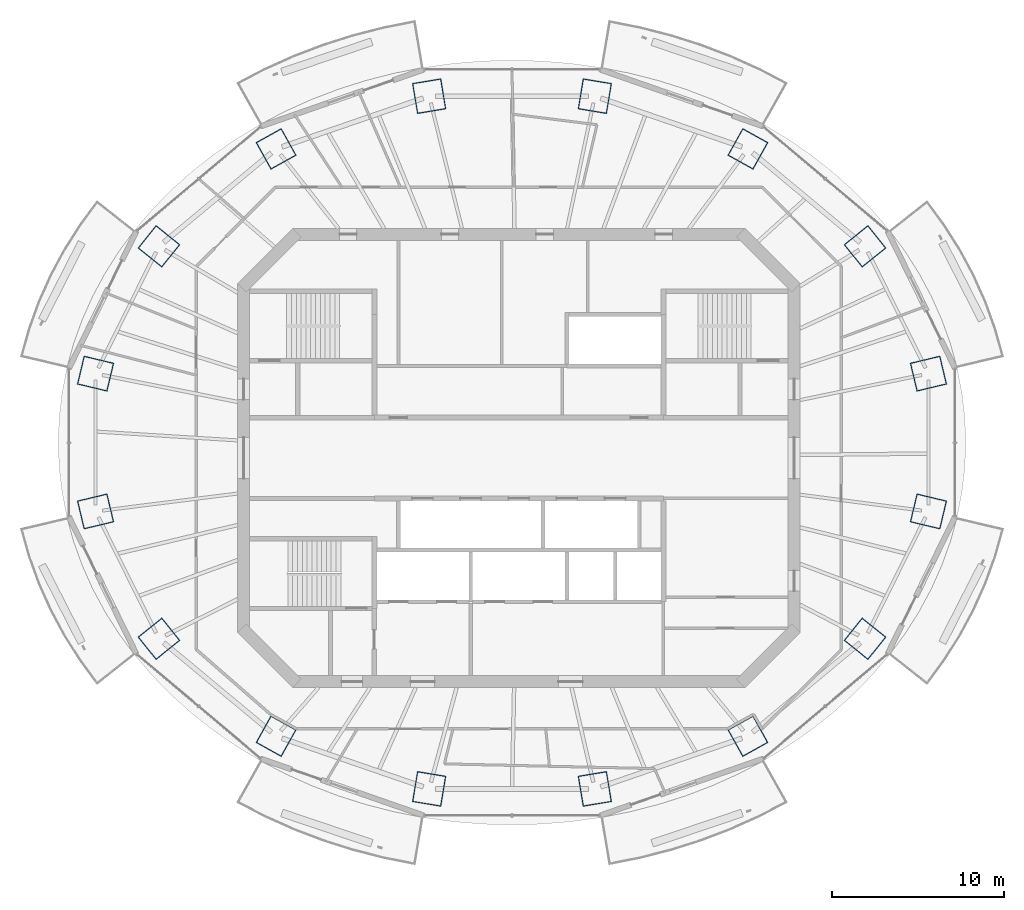
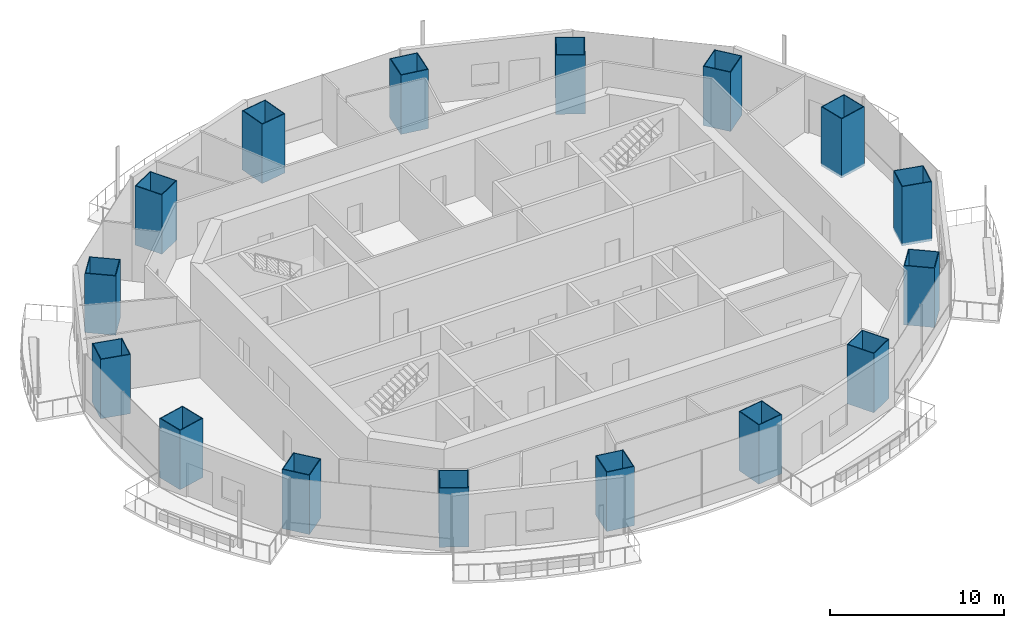
# One storey, part 1 of 16: 16 columns.
"""IFC4 building model written with IfcOpenShell, lengths in metres."""

import ifcopenshell
import ifcopenshell.guid

model = None  # the IFC model being written
_history = None  # IfcOwnerHistory: only IFC2X3 demands one
_inside = {}  # id of a spatial element -> (the spatial element, [elements in it])
_under = {}  # id of a project, library or spatial element -> (it, [spatial elements below it])
_declared = {}  # id of a project -> (the project, [libraries it declares])
_typed = {}  # id of a type object -> (the type object, [elements of that type])
_made_of = {}  # id of a material, layer set ... -> (it, [elements and type objects made of it])


def new_model(schema):
    """Start an empty IFC model of exactly this schema.

    Asked for "IFC4X3", IfcOpenShell would pick the latest addendum, in which some entities
    have other attributes; the version numbers below select the first issue.
    IFC2X3 requires an IfcOwnerHistory on every rooted entity: one is made here for all.
    """
    global model, _history
    if schema == "IFC4X3":
        model = ifcopenshell.file(schema_version=(4, 3, 0, 0))
    else:
        model = ifcopenshell.file(schema=schema)
    _inside.clear()
    _under.clear()
    _declared.clear()
    _typed.clear()
    _made_of.clear()
    _history = None
    if model.schema == "IFC2X3":
        org = make("IfcOrganization", Name="unknown")
        user = make(
            "IfcPersonAndOrganization",
            ThePerson=make("IfcPerson", FamilyName="unknown"),
            TheOrganization=org,
        )
        app = make(
            "IfcApplication",
            ApplicationDeveloper=org,
            Version="unknown",
            ApplicationFullName="unknown",
            ApplicationIdentifier="unknown",
        )
        _history = make(
            "IfcOwnerHistory",
            OwningUser=user,
            OwningApplication=app,
            ChangeAction="ADDED",
            CreationDate=0,
        )
    return model


def make(cls, **values):
    """One entity of the class cls with the attributes given. An attribute that is None is left unset."""
    return model.create_entity(
        cls, **{name: value for name, value in values.items() if value is not None}
    )


def rooted(cls, **values):
    """An entity with a GlobalId (a new one), such as an element, a storey or a relation."""
    return make(cls, GlobalId=ifcopenshell.guid.new(), OwnerHistory=_history, **values)


def si_unit(unit_type, name, prefix=None):
    """IfcSIUnit, for example si_unit("LENGTHUNIT", "METRE", prefix="MILLI")."""
    return make("IfcSIUnit", UnitType=unit_type, Prefix=prefix, Name=name)


def assignment(units):
    """IfcUnitAssignment: the units of a project."""
    return None if units is None else make("IfcUnitAssignment", Units=units)


def point(xyz):
    """IfcCartesianPoint."""
    return None if xyz is None else make("IfcCartesianPoint", Coordinates=xyz)


def direction(xyz):
    """IfcDirection."""
    return None if xyz is None else make("IfcDirection", DirectionRatios=xyz)


def frame(location, z_axis=None, x_axis=None):
    """IfcAxis2Placement3D, a coordinate frame: its origin and axes. An axis left out is left unset."""
    return make(
        "IfcAxis2Placement3D",
        Location=point(location),
        Axis=direction(z_axis),
        RefDirection=direction(x_axis),
    )


def frame_2d(location, x_axis=None):
    """IfcAxis2Placement2D, a coordinate frame in the plane: its origin and x axis."""
    return make(
        "IfcAxis2Placement2D", Location=point(location), RefDirection=direction(x_axis)
    )


def origin():
    """The frame at (0, 0, 0) with its axes left unset."""
    return frame((0.0, 0.0, 0.0))


def origin_2d():
    """The frame at (0, 0) in the plane with its x axis left unset."""
    return frame_2d((0.0, 0.0))


def place(relative_to, where):
    """IfcLocalPlacement: puts the frame where relative to a parent placement (None: the world)."""
    return make(
        "IfcLocalPlacement", PlacementRelTo=relative_to, RelativePlacement=where
    )


def context(
    kind, dimensions, precision=None, world=None, true_north=None, identifier=None
):
    """IfcGeometricRepresentationContext, for example the 3D "Model" context."""
    return make(
        "IfcGeometricRepresentationContext",
        ContextIdentifier=identifier,
        ContextType=kind,
        CoordinateSpaceDimension=dimensions,
        Precision=precision,
        WorldCoordinateSystem=world,
        TrueNorth=true_north,
    )


def subcontext(parent, identifier, kind, view, scale=None):
    """IfcGeometricRepresentationSubContext, for example "Body" below "Model"."""
    return make(
        "IfcGeometricRepresentationSubContext",
        ContextIdentifier=identifier,
        ContextType=kind,
        ParentContext=parent,
        TargetScale=scale,
        TargetView=view,
    )


def project(units=None, contexts=None):
    """IfcProject with its units and contexts."""
    return rooted(
        "IfcProject",
        Name="project",
        RepresentationContexts=contexts,
        UnitsInContext=assignment(units),
    )


def spatial(cls, under=None, at=None, **own):
    """A site, building, storey or space (cls), placed at a placement, below another one or the project."""
    s = rooted(cls, ObjectPlacement=at, **own)
    if under is not None:
        _under.setdefault(under.id(), (under, []))[1].append(s)
    return s


def profile(cls, at=None, kind="AREA", **sizes):
    """A parametric profile (cls). Its sizes go by their IFC names, for example OverallWidth=200.0."""
    return make(cls, ProfileType=kind, Position=at, **sizes)


def rectangle(**sizes):
    """IfcRectangleProfileDef."""
    return profile("IfcRectangleProfileDef", **sizes)


def hollow_rectangle(**sizes):
    """IfcRectangleHollowProfileDef."""
    return profile("IfcRectangleHollowProfileDef", **sizes)


def extrude(swept, where, along, depth):
    """IfcExtrudedAreaSolid: the profile swept, set in the frame where, extruded along a direction by depth."""
    return make(
        "IfcExtrudedAreaSolid",
        SweptArea=swept,
        Position=where,
        ExtrudedDirection=direction(along),
        Depth=depth,
    )


def shape(context_of_items, identifier, shape_type, items):
    """IfcShapeRepresentation: the items that make up one representation, for example the "Body"."""
    return make(
        "IfcShapeRepresentation",
        ContextOfItems=context_of_items,
        RepresentationIdentifier=identifier,
        RepresentationType=shape_type,
        Items=items,
    )


def material(Name=None, Category=None):
    """IfcMaterial."""
    return make("IfcMaterial", Name=Name, Category=Category)


def material_profile(
    of_material, cross_section, Name=None, Category=None, Priority=None
):
    """IfcMaterialProfile: a cross section and its material."""
    return make(
        "IfcMaterialProfile",
        Name=Name,
        Material=of_material,
        Profile=cross_section,
        Priority=Priority,
        Category=Category,
    )


def profile_set(profiles, Name=None, composite=None):
    """IfcMaterialProfileSet."""
    return make(
        "IfcMaterialProfileSet",
        Name=Name,
        MaterialProfiles=profiles,
        CompositeProfile=composite,
    )


def made_of(thing, what):
    """Note that an element or type object is made of a material, layer set ...; save() writes the relation."""
    if what is not None:
        _made_of.setdefault(what.id(), (what, []))[1].append(thing)
    return thing


def type_object(cls, material=None, **own):
    """A type object (cls), such as IfcWallType, which elements share."""
    return made_of(rooted(cls, **own), material)


def element(
    cls,
    number,
    at=None,
    inside=None,
    cuts=None,
    type_object=None,
    material=None,
    context=None,
    identifier="Body",
    shape_type=None,
    held_by="IfcProductDefinitionShape",
    body=None,
    shapes=None,
    **own,
):
    """One element of the class cls, such as IfcWall. Its Tag is "e" and its number.

    at: its placement. inside: the storey or other place that contains it. cuts: it is an
    opening in that element (IfcRelVoidsElement). A single representation is given by context,
    identifier, shape_type and body (its items); several are given by shapes. held_by: the class
    of the entity that holds the representations. save() writes the other relations.
    """
    e = rooted(cls, Tag="e%d" % number, ObjectPlacement=at, **own)
    if body is not None:
        shapes = [shape(context, identifier, shape_type, body)]
    if shapes is not None:
        e.Representation = make(held_by, Representations=shapes)
    if inside is not None:
        _inside.setdefault(inside.id(), (inside, []))[1].append(e)
    if cuts is not None:
        rooted(
            "IfcRelVoidsElement", RelatingBuildingElement=cuts, RelatedOpeningElement=e
        )
    if type_object is not None:
        _typed.setdefault(type_object.id(), (type_object, []))[1].append(e)
    return made_of(e, material)


def aggregate(whole, parts):
    """IfcRelAggregates: a whole, such as a stair, and the parts it consists of."""
    return rooted("IfcRelAggregates", RelatingObject=whole, RelatedObjects=parts)


def save(model, path):
    """Write the relations noted so far, then the file.

    IfcRelAggregates (storeys below a building ...), IfcRelContainedInSpatialStructure (elements
    in a storey), IfcRelDefinesByType, IfcRelAssociatesMaterial and IfcRelDeclares: one each for
    every whole, place, type object, material and project.
    """
    for whole, parts in _under.values():
        aggregate(whole, parts)
    for where, things in _inside.values():
        rooted(
            "IfcRelContainedInSpatialStructure",
            RelatedElements=things,
            RelatingStructure=where,
        )
    for kind, things in _typed.values():
        rooted("IfcRelDefinesByType", RelatedObjects=things, RelatingType=kind)
    for what, things in _made_of.values():
        rooted("IfcRelAssociatesMaterial", RelatedObjects=things, RelatingMaterial=what)
    for by, libraries in _declared.values():
        rooted("IfcRelDeclares", RelatingContext=by, RelatedDefinitions=libraries)
    model.write(path)


model = new_model("IFC4")

# Units and contexts
model_context = context("Model", 3, precision=1e-05, world=origin(), true_north=direction((0.0, 1.0)))
body_context = subcontext(model_context, "Body", "Model", "MODEL_VIEW")
ifc_project = project(units=[si_unit("LENGTHUNIT", "METRE"), si_unit("AREAUNIT", "SQUARE_METRE"), si_unit("VOLUMEUNIT", "CUBIC_METRE"), si_unit("PLANEANGLEUNIT", "RADIAN"), si_unit("MASSUNIT", "GRAM", prefix="KILO")], contexts=[model_context])

# Site, building, storey
site_placement = place(None, origin())
site = spatial("IfcSite", under=ifc_project, at=site_placement, CompositionType="ELEMENT")
building_placement = place(site_placement, origin())
building = spatial("IfcBuilding", under=site, at=building_placement, Name="Marenthal Gate Tower", CompositionType="ELEMENT")
storey_placement = place(building_placement, frame((0.0, 0.0, 363.35009765625)))
storey = spatial("IfcBuildingStorey", under=building, at=storey_placement, Name="L82", CompositionType="ELEMENT", Elevation=363.35009765625)

# Columns
ifc_material_1 = material(Name="Steel S460", Category="steel")
ifc_material_profile_1 = material_profile(ifc_material_1, hollow_rectangle(XDim=1.699951171875, YDim=1.800048828125, WallThickness=0.050048828125, at=origin_2d()), Name="CFT BOX 1800X1700X50")
ifc_material_2 = material(Name="Concrete 70 MPa", Category="concrete")
ifc_material_profile_2 = material_profile(ifc_material_2, rectangle(XDim=1.60009765625, YDim=1.699951171875, at=origin_2d()), Name="CFT BOX 1800X1700X50 INFILL")
ifc_profile_set = profile_set([ifc_material_profile_1, ifc_material_profile_2], Name="Steel S460 shell, Concrete 70 MPa infill")
column_type = type_object("IfcColumnType", Name="CFT BOX 1800X1700X50", PredefinedType="COLUMN", material=ifc_profile_set)
for number, where, z_axis, x_axis, name in (
    (1, (23.810791015625, 4.905517578125, -0.18017578125), (0.0, 0.0, 1.0), (0.232598419702, -0.972572863673, 0.0), "COL-L82-01"),
    (2, (20.124755859375, 12.306396484375, -0.18017578125), (0.0, 0.0, 1.0), (0.626296357122, -0.779585064669, 0.0), "COL-L82-02"),
    (3, (13.314208984375, 17.970947265625, -0.18017578125), (0.0, 0.0, 1.0), (0.874089493808, -0.485764919291, 0.0), "COL-L82-03"),
    (4, (4.415771484375, 21.03662109375, -0.18017578125), (0.0, 0.0, 1.0), (0.986589544528, -0.163220925828, 0.0), "COL-L82-04"),
    (5, (-5.2158203125, 21.03662109375, -0.18017578125), (0.0, 0.0, 1.0), (0.986589544528, 0.163220925828, 0.0), "COL-L82-05"),
    (6, (-14.1142578125, 17.970947265625, -0.18017578125), (0.0, 0.0, 1.0), (0.874089493808, 0.485764919291, 0.0), "COL-L82-06"),
    (7, (-20.9248046875, 12.306396484375, -0.18017578125), (0.0, 0.0, 1.0), (0.626296357122, 0.779585064669, 0.0), "COL-L82-07"),
    (8, (-24.610595703125, 4.905517578125, -0.18017578125), (0.0, 0.0, 1.0), (0.232598419702, 0.972572863673, 0.0), "COL-L82-08"),
    (9, (-24.610595703125, -3.10546875, -0.18017578125), (0.0, 0.0, 1.0), (-0.232598419702, 0.972572863673, 0.0), "COL-L82-09"),
    (10, (-20.9248046875, -10.50634765625, -0.18017578125), (0.0, 0.0, 1.0), (-0.626296357122, 0.779585064669, 0.0), "COL-L82-10"),
    (11, (-14.1142578125, -16.1708984375, -0.18017578125), (0.0, 0.0, 1.0), (-0.874089493808, 0.485764919291, 0.0), "COL-L82-11"),
    (12, (-5.2158203125, -19.236572265625, -0.18017578125), (0.0, 0.0, 1.0), (-0.986589544528, 0.163220925828, 0.0), "COL-L82-12"),
    (13, (4.415771484375, -19.236572265625, -0.18017578125), (0.0, 0.0, 1.0), (-0.986589544528, -0.163220925828, 0.0), "COL-L82-13"),
    (14, (13.314208984375, -16.1708984375, -0.18017578125), (0.0, 0.0, 1.0), (-0.874089493808, -0.485764919291, 0.0), "COL-L82-14"),
    (15, (20.124755859375, -10.50634765625, -0.18017578125), (0.0, 0.0, 1.0), (-0.626296357122, -0.779585064669, 0.0), "COL-L82-15"),
    (16, (23.810791015625, -3.10546875, -0.18017578125), (0.0, 0.0, 1.0), (-0.232598419702, -0.972572863673, 0.0), "COL-L82-16"),
):
    element("IfcColumn", number, at=place(storey_placement, frame(where, z_axis=z_axis, x_axis=x_axis)), inside=storey, type_object=column_type, Name=name, PredefinedType="COLUMN", context=body_context, shape_type="SweptSolid", body=[
        extrude(hollow_rectangle(XDim=1.699951171875, YDim=1.800048828125, WallThickness=0.050048828125, at=origin_2d()), origin(), (0.0, 0.0, 1.0), 4.150146484375),
    ])

save(model, "model.ifc")
